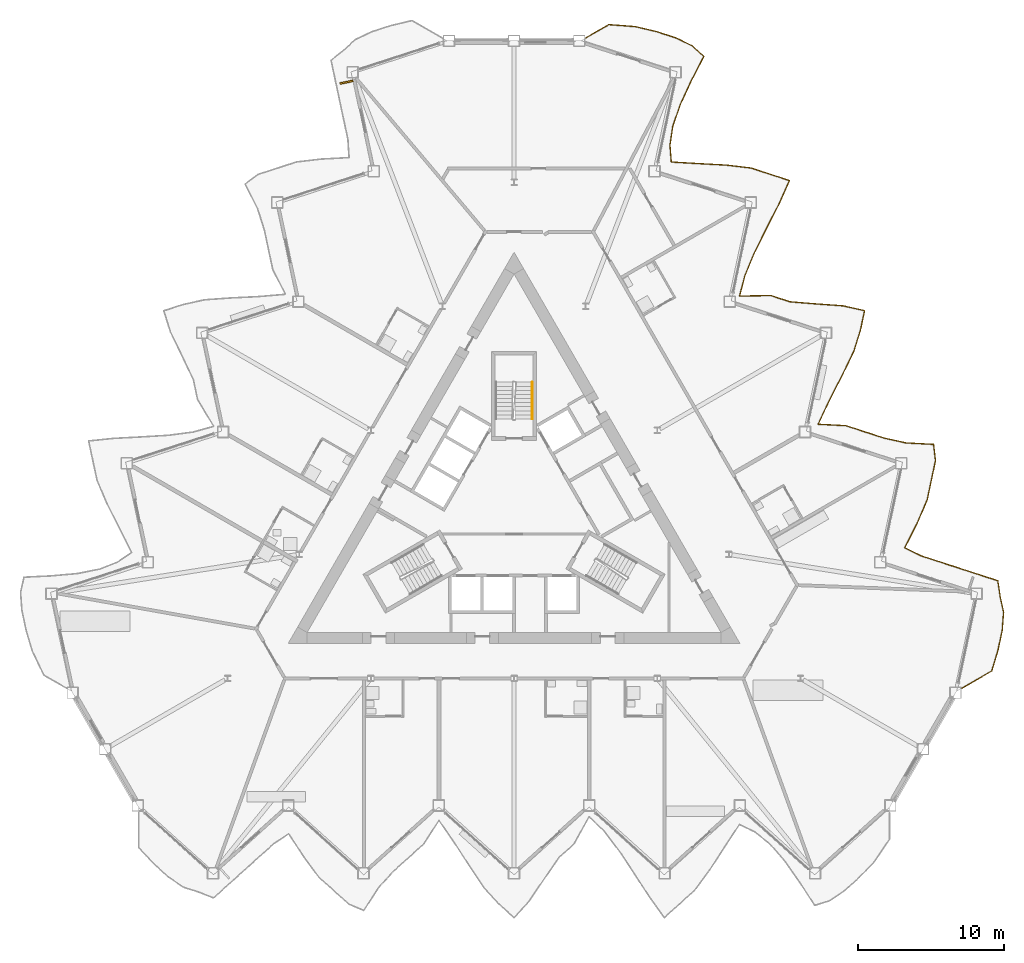
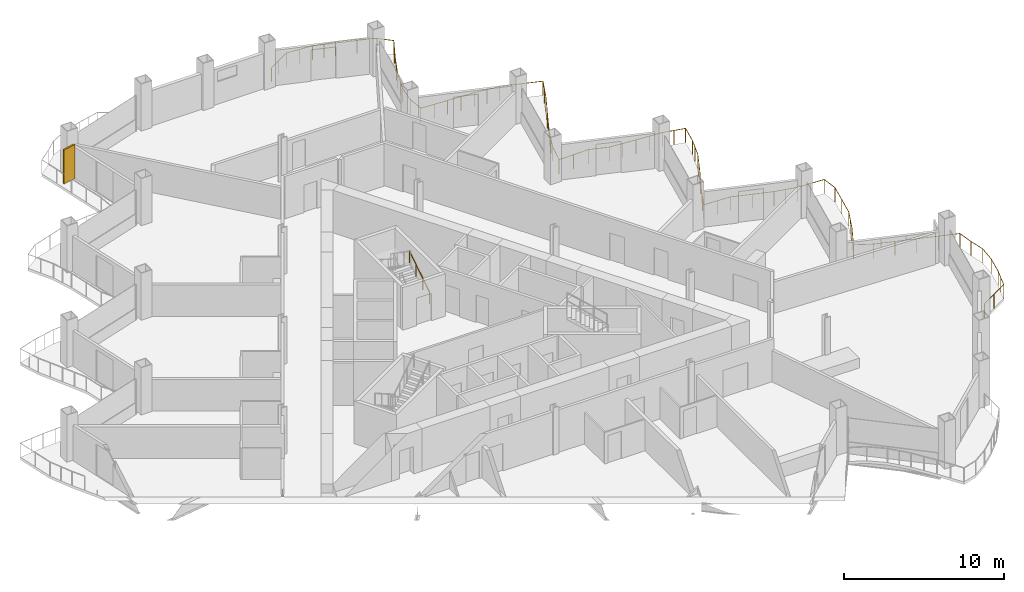
# One storey, part 21 of 23: 2 railings, 1 shading device.
"""IFC4 building model written with IfcOpenShell, lengths in metres."""

import ifcopenshell
import ifcopenshell.guid

model = None  # the IFC model being written
_history = None  # IfcOwnerHistory: only IFC2X3 demands one
_inside = {}  # id of a spatial element -> (the spatial element, [elements in it])
_under = {}  # id of a project, library or spatial element -> (it, [spatial elements below it])
_declared = {}  # id of a project -> (the project, [libraries it declares])
_typed = {}  # id of a type object -> (the type object, [elements of that type])
_made_of = {}  # id of a material, layer set ... -> (it, [elements and type objects made of it])


def new_model(schema):
    """Start an empty IFC model of exactly this schema.

    Asked for "IFC4X3", IfcOpenShell would pick the latest addendum, in which some entities
    have other attributes; the version numbers below select the first issue.
    IFC2X3 requires an IfcOwnerHistory on every rooted entity: one is made here for all.
    """
    global model, _history
    if schema == "IFC4X3":
        model = ifcopenshell.file(schema_version=(4, 3, 0, 0))
    else:
        model = ifcopenshell.file(schema=schema)
    _inside.clear()
    _under.clear()
    _declared.clear()
    _typed.clear()
    _made_of.clear()
    _history = None
    if model.schema == "IFC2X3":
        org = make("IfcOrganization", Name="unknown")
        user = make(
            "IfcPersonAndOrganization",
            ThePerson=make("IfcPerson", FamilyName="unknown"),
            TheOrganization=org,
        )
        app = make(
            "IfcApplication",
            ApplicationDeveloper=org,
            Version="unknown",
            ApplicationFullName="unknown",
            ApplicationIdentifier="unknown",
        )
        _history = make(
            "IfcOwnerHistory",
            OwningUser=user,
            OwningApplication=app,
            ChangeAction="ADDED",
            CreationDate=0,
        )
    return model


def make(cls, **values):
    """One entity of the class cls with the attributes given. An attribute that is None is left unset."""
    return model.create_entity(
        cls, **{name: value for name, value in values.items() if value is not None}
    )


def rooted(cls, **values):
    """An entity with a GlobalId (a new one), such as an element, a storey or a relation."""
    return make(cls, GlobalId=ifcopenshell.guid.new(), OwnerHistory=_history, **values)


def si_unit(unit_type, name, prefix=None):
    """IfcSIUnit, for example si_unit("LENGTHUNIT", "METRE", prefix="MILLI")."""
    return make("IfcSIUnit", UnitType=unit_type, Prefix=prefix, Name=name)


def assignment(units):
    """IfcUnitAssignment: the units of a project."""
    return None if units is None else make("IfcUnitAssignment", Units=units)


def point(xyz):
    """IfcCartesianPoint."""
    return None if xyz is None else make("IfcCartesianPoint", Coordinates=xyz)


def direction(xyz):
    """IfcDirection."""
    return None if xyz is None else make("IfcDirection", DirectionRatios=xyz)


def frame(location, z_axis=None, x_axis=None):
    """IfcAxis2Placement3D, a coordinate frame: its origin and axes. An axis left out is left unset."""
    return make(
        "IfcAxis2Placement3D",
        Location=point(location),
        Axis=direction(z_axis),
        RefDirection=direction(x_axis),
    )


def frame_2d(location, x_axis=None):
    """IfcAxis2Placement2D, a coordinate frame in the plane: its origin and x axis."""
    return make(
        "IfcAxis2Placement2D", Location=point(location), RefDirection=direction(x_axis)
    )


def origin():
    """The frame at (0, 0, 0) with its axes left unset."""
    return frame((0.0, 0.0, 0.0))


def origin_2d():
    """The frame at (0, 0) in the plane with its x axis left unset."""
    return frame_2d((0.0, 0.0))


def place(relative_to, where):
    """IfcLocalPlacement: puts the frame where relative to a parent placement (None: the world)."""
    return make(
        "IfcLocalPlacement", PlacementRelTo=relative_to, RelativePlacement=where
    )


def context(
    kind, dimensions, precision=None, world=None, true_north=None, identifier=None
):
    """IfcGeometricRepresentationContext, for example the 3D "Model" context."""
    return make(
        "IfcGeometricRepresentationContext",
        ContextIdentifier=identifier,
        ContextType=kind,
        CoordinateSpaceDimension=dimensions,
        Precision=precision,
        WorldCoordinateSystem=world,
        TrueNorth=true_north,
    )


def subcontext(parent, identifier, kind, view, scale=None):
    """IfcGeometricRepresentationSubContext, for example "Body" below "Model"."""
    return make(
        "IfcGeometricRepresentationSubContext",
        ContextIdentifier=identifier,
        ContextType=kind,
        ParentContext=parent,
        TargetScale=scale,
        TargetView=view,
    )


def project(units=None, contexts=None):
    """IfcProject with its units and contexts."""
    return rooted(
        "IfcProject",
        Name="project",
        RepresentationContexts=contexts,
        UnitsInContext=assignment(units),
    )


def spatial(cls, under=None, at=None, **own):
    """A site, building, storey or space (cls), placed at a placement, below another one or the project."""
    s = rooted(cls, ObjectPlacement=at, **own)
    if under is not None:
        _under.setdefault(under.id(), (under, []))[1].append(s)
    return s


def profile(cls, at=None, kind="AREA", **sizes):
    """A parametric profile (cls). Its sizes go by their IFC names, for example OverallWidth=200.0."""
    return make(cls, ProfileType=kind, Position=at, **sizes)


def rectangle(**sizes):
    """IfcRectangleProfileDef."""
    return profile("IfcRectangleProfileDef", **sizes)


def circle(**sizes):
    """IfcCircleProfileDef."""
    return profile("IfcCircleProfileDef", **sizes)


def extrude(swept, where, along, depth):
    """IfcExtrudedAreaSolid: the profile swept, set in the frame where, extruded along a direction by depth."""
    return make(
        "IfcExtrudedAreaSolid",
        SweptArea=swept,
        Position=where,
        ExtrudedDirection=direction(along),
        Depth=depth,
    )


def shape(context_of_items, identifier, shape_type, items):
    """IfcShapeRepresentation: the items that make up one representation, for example the "Body"."""
    return make(
        "IfcShapeRepresentation",
        ContextOfItems=context_of_items,
        RepresentationIdentifier=identifier,
        RepresentationType=shape_type,
        Items=items,
    )


def material(Name=None, Category=None):
    """IfcMaterial."""
    return make("IfcMaterial", Name=Name, Category=Category)


def layer(
    of_material, thickness, ventilated=None, Name=None, Category=None, Priority=None
):
    """IfcMaterialLayer: one layer of a wall or slab, of a material (None: an air gap)."""
    return make(
        "IfcMaterialLayer",
        Material=of_material,
        LayerThickness=thickness,
        IsVentilated=ventilated,
        Name=Name,
        Category=Category,
        Priority=Priority,
    )


def layer_set(layers, Name=None):
    """IfcMaterialLayerSet."""
    return make("IfcMaterialLayerSet", MaterialLayers=layers, LayerSetName=Name)


def made_of(thing, what):
    """Note that an element or type object is made of a material, layer set ...; save() writes the relation."""
    if what is not None:
        _made_of.setdefault(what.id(), (what, []))[1].append(thing)
    return thing


def type_object(cls, material=None, **own):
    """A type object (cls), such as IfcWallType, which elements share."""
    return made_of(rooted(cls, **own), material)


def element(
    cls,
    number,
    at=None,
    inside=None,
    cuts=None,
    type_object=None,
    material=None,
    context=None,
    identifier="Body",
    shape_type=None,
    held_by="IfcProductDefinitionShape",
    body=None,
    shapes=None,
    **own,
):
    """One element of the class cls, such as IfcWall. Its Tag is "e" and its number.

    at: its placement. inside: the storey or other place that contains it. cuts: it is an
    opening in that element (IfcRelVoidsElement). A single representation is given by context,
    identifier, shape_type and body (its items); several are given by shapes. held_by: the class
    of the entity that holds the representations. save() writes the other relations.
    """
    e = rooted(cls, Tag="e%d" % number, ObjectPlacement=at, **own)
    if body is not None:
        shapes = [shape(context, identifier, shape_type, body)]
    if shapes is not None:
        e.Representation = make(held_by, Representations=shapes)
    if inside is not None:
        _inside.setdefault(inside.id(), (inside, []))[1].append(e)
    if cuts is not None:
        rooted(
            "IfcRelVoidsElement", RelatingBuildingElement=cuts, RelatedOpeningElement=e
        )
    if type_object is not None:
        _typed.setdefault(type_object.id(), (type_object, []))[1].append(e)
    return made_of(e, material)


def aggregate(whole, parts):
    """IfcRelAggregates: a whole, such as a stair, and the parts it consists of."""
    return rooted("IfcRelAggregates", RelatingObject=whole, RelatedObjects=parts)


def save(model, path):
    """Write the relations noted so far, then the file.

    IfcRelAggregates (storeys below a building ...), IfcRelContainedInSpatialStructure (elements
    in a storey), IfcRelDefinesByType, IfcRelAssociatesMaterial and IfcRelDeclares: one each for
    every whole, place, type object, material and project.
    """
    for whole, parts in _under.values():
        aggregate(whole, parts)
    for where, things in _inside.values():
        rooted(
            "IfcRelContainedInSpatialStructure",
            RelatedElements=things,
            RelatingStructure=where,
        )
    for kind, things in _typed.values():
        rooted("IfcRelDefinesByType", RelatedObjects=things, RelatingType=kind)
    for what, things in _made_of.values():
        rooted("IfcRelAssociatesMaterial", RelatedObjects=things, RelatingMaterial=what)
    for by, libraries in _declared.values():
        rooted("IfcRelDeclares", RelatingContext=by, RelatedDefinitions=libraries)
    model.write(path)


model = new_model("IFC4")

# Units and contexts
model_context = context("Model", 3, precision=1e-05, world=origin(), true_north=direction((0.0, 1.0)))
body_context = subcontext(model_context, "Body", "Model", "MODEL_VIEW")
ifc_project = project(units=[si_unit("LENGTHUNIT", "METRE"), si_unit("AREAUNIT", "SQUARE_METRE"), si_unit("VOLUMEUNIT", "CUBIC_METRE"), si_unit("PLANEANGLEUNIT", "RADIAN"), si_unit("MASSUNIT", "GRAM", prefix="KILO")], contexts=[model_context])

# Site, building, storey
site_placement = place(None, origin())
site = spatial("IfcSite", under=ifc_project, at=site_placement, CompositionType="ELEMENT")
building_placement = place(site_placement, origin())
building = spatial("IfcBuilding", under=site, at=building_placement, Name="Cormorant Prow Tower", CompositionType="ELEMENT")
storey_placement = place(building_placement, frame((0.0, 0.0, 212.39990234375)))
storey = spatial("IfcBuildingStorey", under=building, at=storey_placement, Name="L47", CompositionType="ELEMENT", Elevation=212.39990234375)

# Railings
ifc_material_1 = material(Name="Aluminium 6063-T6", Category="aluminium")
railing_type_1 = type_object("IfcRailingType", Name="Balcony guard 1100", PredefinedType="GUARDRAIL", material=ifc_material_1)
railing_1_placement = place(storey_placement, frame((30.69873046875, -12.0419921875, 0.0)))
element("IfcRailing", 1, at=railing_1_placement, inside=storey, type_object=railing_type_1, Name="Balcony guard ENE", PredefinedType="GUARDRAIL", context=body_context, shape_type="SweptSolid", body=[
    extrude(circle(Radius=0.02392578125, at=origin_2d()), frame((0.0, 0.0, 1.076171875), z_axis=(0.866028295127, 0.499994992015, 0.0), x_axis=(-0.499994992015, 0.866028295127, 0.0)), (0.0, 0.0, 1.0), 2.40380859375),
    extrude(circle(Radius=0.02392578125, at=origin_2d()), frame((2.081787109375, 1.201904296875, 1.076171875), z_axis=(0.287541521382, 0.957768173141, 0.0), x_axis=(-0.957768173141, 0.287541521382, 0.0)), (0.0, 0.0, 1.0), 1.503662109375),
    extrude(circle(Radius=0.02392578125, at=origin_2d()), frame((2.51416015625, 2.64208984375, 1.076171875), z_axis=(0.20797870558, 0.978133353907, 0.0), x_axis=(-0.978133353907, 0.20797870558, 0.0)), (0.0, 0.0, 1.0), 1.387451171875),
    extrude(circle(Radius=0.02392578125, at=origin_2d()), frame((2.802734375, 3.999267578125, 1.076171875), z_axis=(0.075470420357, 0.99714804099, 0.0), x_axis=(-0.99714804099, 0.075470420357, 0.0)), (0.0, 0.0, 1.0), 1.248779296875),
    extrude(circle(Radius=0.02392578125, at=origin_2d()), frame((2.89697265625, 5.244384765625, 1.076171875), z_axis=(-0.218748555075, 0.975781261171, 0.0), x_axis=(-0.975781261171, -0.218748555075, 0.0)), (0.0, 0.0, 1.0), 1.080322265625),
    extrude(circle(Radius=0.02392578125, at=origin_2d()), frame((2.66064453125, 6.298583984375, 1.076171875), z_axis=(-0.145703087096, 0.98932836329, 0.0), x_axis=(-0.98932836329, -0.145703087096, 0.0)), (0.0, 0.0, 1.0), 1.109130859375),
    extrude(circle(Radius=0.02392578125, at=origin_2d()), frame((2.4990234375, 7.39599609375, 1.076171875), z_axis=(-0.951066390921, 0.30898660175, 0.0), x_axis=(-0.30898660175, -0.951066390921, 0.0)), (0.0, 0.0, 1.0), 1.387451171875),
    extrude(circle(Radius=0.02392578125, at=origin_2d()), frame((1.179443359375, 7.82470703125, 1.076171875), z_axis=(-0.951066390921, 0.30898660175, 0.0), x_axis=(-0.30898660175, -0.951066390921, 0.0)), (0.0, 0.0, 1.0), 1.387451171875),
    extrude(circle(Radius=0.02392578125, at=origin_2d()), frame((-0.14013671875, 8.25341796875, 1.076171875), z_axis=(-0.951066390921, 0.30898660175, 0.0), x_axis=(-0.30898660175, -0.951066390921, 0.0)), (0.0, 0.0, 1.0), 1.387451171875),
    extrude(circle(Radius=0.02392578125, at=origin_2d()), frame((-1.459716796875, 8.68212890625, 1.076171875), z_axis=(-0.95103148308, 0.309094028075, 0.0), x_axis=(-0.309094028075, -0.95103148308, 0.0)), (0.0, 0.0, 1.0), 1.3876953125),
    extrude(circle(Radius=0.02392578125, at=origin_2d()), frame((-2.779541015625, 9.111083984375, 1.076171875), z_axis=(-0.897087869273, 0.441852186599, 0.0), x_axis=(-0.441852186599, -0.897087869273, 0.0)), (0.0, 0.0, 1.0), 1.240478515625),
    extrude(circle(Radius=0.02392578125, at=origin_2d()), frame((-3.892333984375, 9.6591796875, 1.076171875), z_axis=(0.453196235116, 0.891410776509, 0.0), x_axis=(-0.891410776509, 0.453196235116, 0.0)), (0.0, 0.0, 1.0), 1.890380859375),
    extrude(circle(Radius=0.02392578125, at=origin_2d()), frame((-3.03564453125, 11.34423828125, 1.076171875), z_axis=(0.395557804734, 0.918441083094, 0.0), x_axis=(-0.918441083094, 0.395557804734, 0.0)), (0.0, 0.0, 1.0), 1.7255859375),
    extrude(circle(Radius=0.02392578125, at=origin_2d()), frame((-2.35302734375, 12.92919921875, 1.076171875), z_axis=(0.20797870558, 0.978133353907, 0.0), x_axis=(-0.978133353907, 0.20797870558, 0.0)), (0.0, 0.0, 1.0), 1.387451171875),
    extrude(circle(Radius=0.02392578125, at=origin_2d()), frame((-2.064453125, 14.286376953125, 1.076171875), z_axis=(0.20797870558, 0.978133353907, 0.0), x_axis=(-0.978133353907, 0.20797870558, 0.0)), (0.0, 0.0, 1.0), 1.387451171875),
    extrude(circle(Radius=0.02392578125, at=origin_2d()), frame((-1.77587890625, 15.6435546875, 1.076171875), z_axis=(-0.119772050881, 0.992801418123, 0.0), x_axis=(-0.992801418123, -0.119772050881, 0.0)), (0.0, 0.0, 1.0), 1.12109375),
    extrude(circle(Radius=0.02392578125, at=origin_2d()), frame((-1.91015625, 16.756591796875, 1.076171875), z_axis=(-0.99863628427, 0.052207008536, 0.0), x_axis=(-0.052207008536, -0.99863628427, 0.0)), (0.0, 0.0, 1.0), 1.89404296875),
    extrude(circle(Radius=0.02392578125, at=origin_2d()), frame((-3.801513671875, 16.85546875, 1.076171875), z_axis=(-0.976798924256, 0.214158496382, 0.0), x_axis=(-0.214158496382, -0.976798924256, 0.0)), (0.0, 0.0, 1.0), 1.52978515625),
    extrude(circle(Radius=0.02392578125, at=origin_2d()), frame((-5.2958984375, 17.18310546875, 1.076171875), z_axis=(-0.951014671478, 0.309145749822, 0.0), x_axis=(-0.309145749822, -0.951014671478, 0.0)), (0.0, 0.0, 1.0), 1.387451171875),
    extrude(circle(Radius=0.02392578125, at=origin_2d()), frame((-6.615478515625, 17.612060546875, 1.076171875), z_axis=(-0.951066390921, 0.30898660175, 0.0), x_axis=(-0.30898660175, -0.951066390921, 0.0)), (0.0, 0.0, 1.0), 1.387451171875),
    extrude(circle(Radius=0.02392578125, at=origin_2d()), frame((-7.93505859375, 18.040771484375, 1.076171875), z_axis=(-0.998729147335, 0.050399308156, 0.0), x_axis=(-0.050399308156, -0.998729147335, 0.0)), (0.0, 0.0, 1.0), 1.89892578125),
    extrude(circle(Radius=0.02392578125, at=origin_2d()), frame((-9.83154296875, 18.136474609375, 1.076171875), z_axis=(0.42454486335, 0.90540690245, 0.0), x_axis=(-0.90540690245, 0.42454486335, 0.0)), (0.0, 0.0, 1.0), 1.803466796875),
    extrude(circle(Radius=0.02392578125, at=origin_2d()), frame((-9.06591796875, 19.769287109375, 1.076171875), z_axis=(0.457090009514, 0.889420442312, 0.0), x_axis=(-0.889420442312, 0.457090009514, 0.0)), (0.0, 0.0, 1.0), 1.903076171875),
    extrude(circle(Radius=0.02392578125, at=origin_2d()), frame((-8.196044921875, 21.4619140625, 1.076171875), z_axis=(0.437428047007, 0.899253414612, 0.0), x_axis=(-0.899253414612, 0.437428047007, 0.0)), (0.0, 0.0, 1.0), 1.84130859375),
    extrude(circle(Radius=0.02392578125, at=origin_2d()), frame((-7.390625, 23.11767578125, 1.076171875), z_axis=(0.300733243667, 0.953708297203, 0.0), x_axis=(-0.953708297203, 0.300733243667, 0.0)), (0.0, 0.0, 1.0), 1.526123046875),
    extrude(circle(Radius=0.02392578125, at=origin_2d()), frame((-6.931640625, 24.5732421875, 1.076171875), z_axis=(0.20797870558, 0.978133353907, 0.0), x_axis=(-0.978133353907, 0.20797870558, 0.0)), (0.0, 0.0, 1.0), 1.387451171875),
    extrude(circle(Radius=0.02392578125, at=origin_2d()), frame((-6.64306640625, 25.930419921875, 1.076171875), z_axis=(-0.97588443136, 0.218287829777, 0.0), x_axis=(-0.218287829777, -0.97588443136, 0.0)), (0.0, 0.0, 1.0), 1.523193359375),
    extrude(circle(Radius=0.02392578125, at=origin_2d()), frame((-8.129638671875, 26.262939453125, 1.076171875), z_axis=(-0.997468119941, 0.071115045529, 0.0), x_axis=(-0.071115045529, -0.997468119941, 0.0)), (0.0, 0.0, 1.0), 1.840087890625),
    extrude(circle(Radius=0.02392578125, at=origin_2d()), frame((-9.965087890625, 26.393798828125, 1.076171875), z_axis=(-0.996660937381, 0.081651551717, 0.0), x_axis=(-0.081651551717, -0.996660937381, 0.0)), (0.0, 0.0, 1.0), 1.81201171875),
    extrude(circle(Radius=0.02392578125, at=origin_2d()), frame((-11.77099609375, 26.541748046875, 1.076171875), z_axis=(-0.951014671478, 0.309145749822, 0.0), x_axis=(-0.309145749822, -0.951014671478, 0.0)), (0.0, 0.0, 1.0), 1.387451171875),
    extrude(circle(Radius=0.02392578125, at=origin_2d()), frame((-13.090576171875, 26.970703125, 1.076171875), z_axis=(-0.999827790002, -0.018557756872, 0.0), x_axis=(0.018557756872, -0.999827790002, 0.0)), (0.0, 0.0, 1.0), 2.13134765625),
    extrude(circle(Radius=0.02392578125, at=origin_2d()), frame((-15.221435546875, 26.93115234375, 1.076171875), z_axis=(0.250199897409, 0.968194201251, 0.0), x_axis=(-0.968194201251, 0.250199897409, 0.0)), (0.0, 0.0, 1.0), 1.445068359375),
    extrude(circle(Radius=0.02392578125, at=origin_2d()), frame((-14.85986328125, 28.330322265625, 1.076171875), z_axis=(0.383398526339, 0.923583006557, 0.0), x_axis=(-0.923583006557, 0.383398526339, 0.0)), (0.0, 0.0, 1.0), 1.69580078125),
    extrude(circle(Radius=0.02392578125, at=origin_2d()), frame((-14.209716796875, 29.896484375, 1.076171875), z_axis=(0.446534326921, 0.894766502994, 0.0), x_axis=(-0.894766502994, 0.446534326921, 0.0)), (0.0, 0.0, 1.0), 1.869384765625),
    extrude(circle(Radius=0.02392578125, at=origin_2d()), frame((-13.375, 31.569091796875, 1.076171875), z_axis=(0.454313809122, 0.89084171593, 0.0), x_axis=(-0.89084171593, 0.454313809122, 0.0)), (0.0, 0.0, 1.0), 1.894287109375),
    extrude(circle(Radius=0.02392578125, at=origin_2d()), frame((-12.514404296875, 33.256591796875, 1.076171875), z_axis=(0.407466606086, 0.9132201076, 0.0), x_axis=(-0.9132201076, 0.407466606086, 0.0)), (0.0, 0.0, 1.0), 1.756103515625),
    extrude(circle(Radius=0.02392578125, at=origin_2d()), frame((-11.798828125, 34.8603515625, 1.076171875), z_axis=(-0.951066390921, 0.30898660175, 0.0), x_axis=(-0.30898660175, -0.951066390921, 0.0)), (0.0, 0.0, 1.0), 1.387451171875),
    extrude(circle(Radius=0.02392578125, at=origin_2d()), frame((-13.118408203125, 35.2890625, 1.076171875), z_axis=(-0.951066390921, 0.30898660175, 0.0), x_axis=(-0.30898660175, -0.951066390921, 0.0)), (0.0, 0.0, 1.0), 1.387451171875),
    extrude(circle(Radius=0.02392578125, at=origin_2d()), frame((-14.43798828125, 35.7177734375, 1.076171875), z_axis=(-0.992981138092, 0.118272817648, 0.0), x_axis=(-0.118272817648, -0.992981138092, 0.0)), (0.0, 0.0, 1.0), 1.721435546875),
    extrude(circle(Radius=0.02392578125, at=origin_2d()), frame((-16.1474609375, 35.92138671875, 1.076171875), z_axis=(-0.998561964435, 0.053609730303, 0.0), x_axis=(-0.053609730303, -0.998561964435, 0.0)), (0.0, 0.0, 1.0), 1.889892578125),
    extrude(circle(Radius=0.02392578125, at=origin_2d()), frame((-18.03466796875, 36.022705078125, 1.076171875), z_axis=(-0.998306973081, 0.058165174266, 0.0), x_axis=(-0.058165174266, -0.998306973081, 0.0)), (0.0, 0.0, 1.0), 1.876220703125),
    extrude(circle(Radius=0.02392578125, at=origin_2d()), frame((-19.90771484375, 36.1318359375, 1.076171875), z_axis=(-0.07954125821, 0.996831574662, 0.0), x_axis=(-0.996831574662, -0.07954125821, 0.0)), (0.0, 0.0, 1.0), 1.141845703125),
    extrude(circle(Radius=0.02392578125, at=origin_2d()), frame((-19.99853515625, 37.27001953125, 1.076171875), z_axis=(0.146689799632, 0.98918254265, 0.0), x_axis=(-0.98918254265, 0.146689799632, 0.0)), (0.0, 0.0, 1.0), 1.31640625),
    extrude(circle(Radius=0.02392578125, at=origin_2d()), frame((-19.805419921875, 38.572265625, 1.076171875), z_axis=(0.32258186533, 0.94654156811, 0.0), x_axis=(-0.94654156811, 0.32258186533, 0.0)), (0.0, 0.0, 1.0), 1.56591796875),
    extrude(circle(Radius=0.02392578125, at=origin_2d()), frame((-19.30029296875, 40.054443359375, 1.076171875), z_axis=(0.420646988781, 0.907224399379, 0.0), x_axis=(-0.907224399379, 0.420646988781, 0.0)), (0.0, 0.0, 1.0), 1.792236328125),
    extrude(circle(Radius=0.02392578125, at=origin_2d()), frame((-18.54638671875, 41.680419921875, 1.076171875), z_axis=(0.456587728631, 0.889678394738, 0.0), x_axis=(-0.889678394738, 0.456587728631, 0.0)), (0.0, 0.0, 1.0), 1.9013671875),
    extrude(circle(Radius=0.02392578125, at=origin_2d()), frame((-17.67822265625, 43.3720703125, 1.076171875), z_axis=(-0.734907436107, 0.678167427967, 0.0), x_axis=(-0.678167427967, -0.734907436107, 0.0)), (0.0, 0.0, 1.0), 1.080078125),
    extrude(circle(Radius=0.02392578125, at=origin_2d()), frame((-18.471923828125, 44.1044921875, 1.076171875), z_axis=(-0.900035349441, 0.435816899348, 0.0), x_axis=(-0.435816899348, -0.900035349441, 0.0)), (0.0, 0.0, 1.0), 1.246337890625),
    extrude(circle(Radius=0.02392578125, at=origin_2d()), frame((-19.59375, 44.647705078125, 1.076171875), z_axis=(-0.951066390921, 0.30898660175, 0.0), x_axis=(-0.30898660175, -0.951066390921, 0.0)), (0.0, 0.0, 1.0), 1.387451171875),
    extrude(circle(Radius=0.02392578125, at=origin_2d()), frame((-20.913330078125, 45.076416015625, 1.076171875), z_axis=(-0.972790500958, 0.23168651503, 0.0), x_axis=(-0.23168651503, -0.972790500958, 0.0)), (0.0, 0.0, 1.0), 1.50048828125),
    extrude(circle(Radius=0.02392578125, at=origin_2d()), frame((-22.373046875, 45.424072265625, 1.076171875), z_axis=(-0.997218419902, 0.074534710085, 0.0), x_axis=(-0.074534710085, -0.997218419902, 0.0)), (0.0, 0.0, 1.0), 1.8310546875),
    extrude(circle(Radius=0.02392578125, at=origin_2d()), frame((-24.198974609375, 45.560546875, 1.076171875), z_axis=(-0.866042886279, -0.499969718208, 0.0), x_axis=(0.499969718208, -0.866042886279, 0.0)), (0.0, 0.0, 1.0), 1.8232421875),
    extrude(circle(Radius=0.02099609375, at=origin_2d()), origin(), (0.0, 0.0, 1.0), 1.052001953125),
    extrude(circle(Radius=0.02099609375, at=origin_2d()), frame((1.041015625, 0.60107421875, 0.0)), (0.0, 0.0, 1.0), 1.052001953125),
    extrude(circle(Radius=0.02099609375, at=origin_2d()), frame((2.081787109375, 1.201904296875, 0.0)), (0.0, 0.0, 1.0), 1.052001953125),
    extrude(circle(Radius=0.02099609375, at=origin_2d()), frame((2.2978515625, 1.921875, 0.0)), (0.0, 0.0, 1.0), 1.052001953125),
    extrude(circle(Radius=0.02099609375, at=origin_2d()), frame((2.51416015625, 2.64208984375, 0.0)), (0.0, 0.0, 1.0), 1.052001953125),
    extrude(circle(Radius=0.02099609375, at=origin_2d()), frame((2.802734375, 3.999267578125, 0.0)), (0.0, 0.0, 1.0), 1.052001953125),
    extrude(circle(Radius=0.02099609375, at=origin_2d()), frame((2.89697265625, 5.244384765625, 0.0)), (0.0, 0.0, 1.0), 1.052001953125),
    extrude(circle(Radius=0.02099609375, at=origin_2d()), frame((2.66064453125, 6.298583984375, 0.0)), (0.0, 0.0, 1.0), 1.052001953125),
    extrude(circle(Radius=0.02099609375, at=origin_2d()), frame((2.4990234375, 7.39599609375, 0.0)), (0.0, 0.0, 1.0), 1.052001953125),
    extrude(circle(Radius=0.02099609375, at=origin_2d()), frame((1.179443359375, 7.82470703125, 0.0)), (0.0, 0.0, 1.0), 1.052001953125),
    extrude(circle(Radius=0.02099609375, at=origin_2d()), frame((-0.14013671875, 8.25341796875, 0.0)), (0.0, 0.0, 1.0), 1.052001953125),
    extrude(circle(Radius=0.02099609375, at=origin_2d()), frame((-1.459716796875, 8.68212890625, 0.0)), (0.0, 0.0, 1.0), 1.052001953125),
    extrude(circle(Radius=0.02099609375, at=origin_2d()), frame((-2.779541015625, 9.111083984375, 0.0)), (0.0, 0.0, 1.0), 1.052001953125),
    extrude(circle(Radius=0.02099609375, at=origin_2d()), frame((-3.892333984375, 9.6591796875, 0.0)), (0.0, 0.0, 1.0), 1.052001953125),
    extrude(circle(Radius=0.02099609375, at=origin_2d()), frame((-3.4638671875, 10.501708984375, 0.0)), (0.0, 0.0, 1.0), 1.052001953125),
    extrude(circle(Radius=0.02099609375, at=origin_2d()), frame((-3.03564453125, 11.34423828125, 0.0)), (0.0, 0.0, 1.0), 1.052001953125),
    extrude(circle(Radius=0.02099609375, at=origin_2d()), frame((-2.6943359375, 12.13671875, 0.0)), (0.0, 0.0, 1.0), 1.052001953125),
    extrude(circle(Radius=0.02099609375, at=origin_2d()), frame((-2.35302734375, 12.92919921875, 0.0)), (0.0, 0.0, 1.0), 1.052001953125),
    extrude(circle(Radius=0.02099609375, at=origin_2d()), frame((-2.064453125, 14.286376953125, 0.0)), (0.0, 0.0, 1.0), 1.052001953125),
    extrude(circle(Radius=0.02099609375, at=origin_2d()), frame((-1.77587890625, 15.6435546875, 0.0)), (0.0, 0.0, 1.0), 1.052001953125),
    extrude(circle(Radius=0.02099609375, at=origin_2d()), frame((-1.91015625, 16.756591796875, 0.0)), (0.0, 0.0, 1.0), 1.052001953125),
    extrude(circle(Radius=0.02099609375, at=origin_2d()), frame((-2.85595703125, 16.80615234375, 0.0)), (0.0, 0.0, 1.0), 1.052001953125),
    extrude(circle(Radius=0.02099609375, at=origin_2d()), frame((-3.801513671875, 16.85546875, 0.0)), (0.0, 0.0, 1.0), 1.052001953125),
    extrude(circle(Radius=0.02099609375, at=origin_2d()), frame((-4.548828125, 17.019287109375, 0.0)), (0.0, 0.0, 1.0), 1.052001953125),
    extrude(circle(Radius=0.02099609375, at=origin_2d()), frame((-5.2958984375, 17.18310546875, 0.0)), (0.0, 0.0, 1.0), 1.052001953125),
    extrude(circle(Radius=0.02099609375, at=origin_2d()), frame((-6.615478515625, 17.612060546875, 0.0)), (0.0, 0.0, 1.0), 1.052001953125),
    extrude(circle(Radius=0.02099609375, at=origin_2d()), frame((-7.93505859375, 18.040771484375, 0.0)), (0.0, 0.0, 1.0), 1.052001953125),
    extrude(circle(Radius=0.02099609375, at=origin_2d()), frame((-8.88330078125, 18.088623046875, 0.0)), (0.0, 0.0, 1.0), 1.052001953125),
    extrude(circle(Radius=0.02099609375, at=origin_2d()), frame((-9.83154296875, 18.136474609375, 0.0)), (0.0, 0.0, 1.0), 1.052001953125),
    extrude(circle(Radius=0.02099609375, at=origin_2d()), frame((-9.44873046875, 18.952880859375, 0.0)), (0.0, 0.0, 1.0), 1.052001953125),
    extrude(circle(Radius=0.02099609375, at=origin_2d()), frame((-9.06591796875, 19.769287109375, 0.0)), (0.0, 0.0, 1.0), 1.052001953125),
    extrude(circle(Radius=0.02099609375, at=origin_2d()), frame((-8.630859375, 20.61572265625, 0.0)), (0.0, 0.0, 1.0), 1.052001953125),
    extrude(circle(Radius=0.02099609375, at=origin_2d()), frame((-8.196044921875, 21.4619140625, 0.0)), (0.0, 0.0, 1.0), 1.052001953125),
    extrude(circle(Radius=0.02099609375, at=origin_2d()), frame((-7.79345703125, 22.289794921875, 0.0)), (0.0, 0.0, 1.0), 1.052001953125),
    extrude(circle(Radius=0.02099609375, at=origin_2d()), frame((-7.390625, 23.11767578125, 0.0)), (0.0, 0.0, 1.0), 1.052001953125),
    extrude(circle(Radius=0.02099609375, at=origin_2d()), frame((-7.1611328125, 23.845458984375, 0.0)), (0.0, 0.0, 1.0), 1.052001953125),
    extrude(circle(Radius=0.02099609375, at=origin_2d()), frame((-6.931640625, 24.5732421875, 0.0)), (0.0, 0.0, 1.0), 1.052001953125),
    extrude(circle(Radius=0.02099609375, at=origin_2d()), frame((-6.64306640625, 25.930419921875, 0.0)), (0.0, 0.0, 1.0), 1.052001953125),
    extrude(circle(Radius=0.02099609375, at=origin_2d()), frame((-7.38623046875, 26.0966796875, 0.0)), (0.0, 0.0, 1.0), 1.052001953125),
    extrude(circle(Radius=0.02099609375, at=origin_2d()), frame((-8.129638671875, 26.262939453125, 0.0)), (0.0, 0.0, 1.0), 1.052001953125),
    extrude(circle(Radius=0.02099609375, at=origin_2d()), frame((-9.04736328125, 26.328369140625, 0.0)), (0.0, 0.0, 1.0), 1.052001953125),
    extrude(circle(Radius=0.02099609375, at=origin_2d()), frame((-9.965087890625, 26.393798828125, 0.0)), (0.0, 0.0, 1.0), 1.052001953125),
    extrude(circle(Radius=0.02099609375, at=origin_2d()), frame((-10.8681640625, 26.4677734375, 0.0)), (0.0, 0.0, 1.0), 1.052001953125),
    extrude(circle(Radius=0.02099609375, at=origin_2d()), frame((-11.77099609375, 26.541748046875, 0.0)), (0.0, 0.0, 1.0), 1.052001953125),
    extrude(circle(Radius=0.02099609375, at=origin_2d()), frame((-13.090576171875, 26.970703125, 0.0)), (0.0, 0.0, 1.0), 1.052001953125),
    extrude(circle(Radius=0.02099609375, at=origin_2d()), frame((-14.156005859375, 26.950927734375, 0.0)), (0.0, 0.0, 1.0), 1.052001953125),
    extrude(circle(Radius=0.02099609375, at=origin_2d()), frame((-15.221435546875, 26.93115234375, 0.0)), (0.0, 0.0, 1.0), 1.052001953125),
    extrude(circle(Radius=0.02099609375, at=origin_2d()), frame((-14.85986328125, 28.330322265625, 0.0)), (0.0, 0.0, 1.0), 1.052001953125),
    extrude(circle(Radius=0.02099609375, at=origin_2d()), frame((-14.53466796875, 29.11328125, 0.0)), (0.0, 0.0, 1.0), 1.052001953125),
    extrude(circle(Radius=0.02099609375, at=origin_2d()), frame((-14.209716796875, 29.896484375, 0.0)), (0.0, 0.0, 1.0), 1.052001953125),
    extrude(circle(Radius=0.02099609375, at=origin_2d()), frame((-13.79248046875, 30.73291015625, 0.0)), (0.0, 0.0, 1.0), 1.052001953125),
    extrude(circle(Radius=0.02099609375, at=origin_2d()), frame((-13.375, 31.569091796875, 0.0)), (0.0, 0.0, 1.0), 1.052001953125),
    extrude(circle(Radius=0.02099609375, at=origin_2d()), frame((-12.94482421875, 32.412841796875, 0.0)), (0.0, 0.0, 1.0), 1.052001953125),
    extrude(circle(Radius=0.02099609375, at=origin_2d()), frame((-12.514404296875, 33.256591796875, 0.0)), (0.0, 0.0, 1.0), 1.052001953125),
    extrude(circle(Radius=0.02099609375, at=origin_2d()), frame((-12.15673828125, 34.05859375, 0.0)), (0.0, 0.0, 1.0), 1.052001953125),
    extrude(circle(Radius=0.02099609375, at=origin_2d()), frame((-11.798828125, 34.8603515625, 0.0)), (0.0, 0.0, 1.0), 1.052001953125),
    extrude(circle(Radius=0.02099609375, at=origin_2d()), frame((-13.118408203125, 35.2890625, 0.0)), (0.0, 0.0, 1.0), 1.052001953125),
    extrude(circle(Radius=0.02099609375, at=origin_2d()), frame((-14.43798828125, 35.7177734375, 0.0)), (0.0, 0.0, 1.0), 1.052001953125),
    extrude(circle(Radius=0.02099609375, at=origin_2d()), frame((-15.292724609375, 35.819580078125, 0.0)), (0.0, 0.0, 1.0), 1.052001953125),
    extrude(circle(Radius=0.02099609375, at=origin_2d()), frame((-16.1474609375, 35.92138671875, 0.0)), (0.0, 0.0, 1.0), 1.052001953125),
    extrude(circle(Radius=0.02099609375, at=origin_2d()), frame((-17.091064453125, 35.97216796875, 0.0)), (0.0, 0.0, 1.0), 1.052001953125),
    extrude(circle(Radius=0.02099609375, at=origin_2d()), frame((-18.03466796875, 36.022705078125, 0.0)), (0.0, 0.0, 1.0), 1.052001953125),
    extrude(circle(Radius=0.02099609375, at=origin_2d()), frame((-18.97119140625, 36.0771484375, 0.0)), (0.0, 0.0, 1.0), 1.052001953125),
    extrude(circle(Radius=0.02099609375, at=origin_2d()), frame((-19.90771484375, 36.1318359375, 0.0)), (0.0, 0.0, 1.0), 1.052001953125),
    extrude(circle(Radius=0.02099609375, at=origin_2d()), frame((-19.99853515625, 37.27001953125, 0.0)), (0.0, 0.0, 1.0), 1.052001953125),
    extrude(circle(Radius=0.02099609375, at=origin_2d()), frame((-19.805419921875, 38.572265625, 0.0)), (0.0, 0.0, 1.0), 1.052001953125),
    extrude(circle(Radius=0.02099609375, at=origin_2d()), frame((-19.552734375, 39.3134765625, 0.0)), (0.0, 0.0, 1.0), 1.052001953125),
    extrude(circle(Radius=0.02099609375, at=origin_2d()), frame((-19.30029296875, 40.054443359375, 0.0)), (0.0, 0.0, 1.0), 1.052001953125),
    extrude(circle(Radius=0.02099609375, at=origin_2d()), frame((-18.92333984375, 40.867431640625, 0.0)), (0.0, 0.0, 1.0), 1.052001953125),
    extrude(circle(Radius=0.02099609375, at=origin_2d()), frame((-18.54638671875, 41.680419921875, 0.0)), (0.0, 0.0, 1.0), 1.052001953125),
    extrude(circle(Radius=0.02099609375, at=origin_2d()), frame((-18.1123046875, 42.5263671875, 0.0)), (0.0, 0.0, 1.0), 1.052001953125),
    extrude(circle(Radius=0.02099609375, at=origin_2d()), frame((-17.67822265625, 43.3720703125, 0.0)), (0.0, 0.0, 1.0), 1.052001953125),
    extrude(circle(Radius=0.02099609375, at=origin_2d()), frame((-18.471923828125, 44.1044921875, 0.0)), (0.0, 0.0, 1.0), 1.052001953125),
    extrude(circle(Radius=0.02099609375, at=origin_2d()), frame((-19.59375, 44.647705078125, 0.0)), (0.0, 0.0, 1.0), 1.052001953125),
    extrude(circle(Radius=0.02099609375, at=origin_2d()), frame((-20.913330078125, 45.076416015625, 0.0)), (0.0, 0.0, 1.0), 1.052001953125),
    extrude(circle(Radius=0.02099609375, at=origin_2d()), frame((-21.64306640625, 45.250244140625, 0.0)), (0.0, 0.0, 1.0), 1.052001953125),
    extrude(circle(Radius=0.02099609375, at=origin_2d()), frame((-22.373046875, 45.424072265625, 0.0)), (0.0, 0.0, 1.0), 1.052001953125),
    extrude(circle(Radius=0.02099609375, at=origin_2d()), frame((-23.2861328125, 45.4921875, 0.0)), (0.0, 0.0, 1.0), 1.052001953125),
    extrude(circle(Radius=0.02099609375, at=origin_2d()), frame((-24.198974609375, 45.560546875, 0.0)), (0.0, 0.0, 1.0), 1.052001953125),
    extrude(circle(Radius=0.02099609375, at=origin_2d()), frame((-24.988525390625, 45.104736328125, 0.0)), (0.0, 0.0, 1.0), 1.052001953125),
    extrude(circle(Radius=0.02099609375, at=origin_2d()), frame((-25.778076171875, 44.64892578125, 0.0)), (0.0, 0.0, 1.0), 1.052001953125),
])
ifc_material_2 = material(Name="Stainless steel", Category="steel")
railing_type_2 = type_object("IfcRailingType", Name="Stair handrail 900", PredefinedType="HANDRAIL", material=ifc_material_2)
railing_2_placement = place(storey_placement, frame((1.243896484375, 6.455810546875, 0.18017578125)))
element("IfcRailing", 2, at=railing_2_placement, inside=storey, type_object=railing_type_2, Name="L47 ST3 stair handrail 1", PredefinedType="HANDRAIL", context=body_context, shape_type="SweptSolid", body=[
    extrude(circle(Radius=0.02392578125, at=origin_2d()), frame((0.0, 0.0, 0.8759765625), z_axis=(0.0, 0.841199657755, 0.540724639528), x_axis=(-1.0, 0.0, 0.0)), (0.0, 0.0, 1.0), 2.995849609375),
    extrude(circle(Radius=0.02099609375, at=origin_2d()), origin(), (0.0, 0.0, 1.0), 0.851806640625),
    extrude(circle(Radius=0.02099609375, at=origin_2d()), frame((0.0, 0.840087890625, 0.5400390625)), (0.0, 0.0, 1.0), 0.851806640625),
    extrude(circle(Radius=0.02099609375, at=origin_2d()), frame((0.0, 1.679931640625, 1.079833984375)), (0.0, 0.0, 1.0), 0.851806640625),
    extrude(circle(Radius=0.02099609375, at=origin_2d()), frame((0.0, 2.52001953125, 1.619873046875)), (0.0, 0.0, 1.0), 0.851806640625),
])

# Shading device
ifc_material_3 = material(Name="Terracotta", Category="masonry")
ifc_layer = layer(ifc_material_3, 0.1201171875)
ifc_layer_set = layer_set([ifc_layer], Name="Terracotta")
shading_device_type = type_object("IfcShadingDeviceType", Name="Terracotta baguette fin 120x900x2600", PredefinedType="USERDEFINED", material=ifc_layer_set)
shading_device_placement = place(storey_placement, frame((-11.499267578125, 29.5654296875, 0.0), z_axis=(0.0, 0.0, 1.0), x_axis=(0.20791171127, -0.978147596387, 0.0)))
element("IfcShadingDevice", 3, at=shading_device_placement, inside=storey, type_object=shading_device_type, Name="Baguette fin WNW01", ObjectType="BAGUETTE", PredefinedType="USERDEFINED", context=body_context, shape_type="SweptSolid", body=[
    extrude(rectangle(XDim=0.1201171875, YDim=0.89990234375, at=origin_2d()), origin(), (0.0, 0.0, 1.0), 2.60009765625),
])

save(model, "model.ifc")
